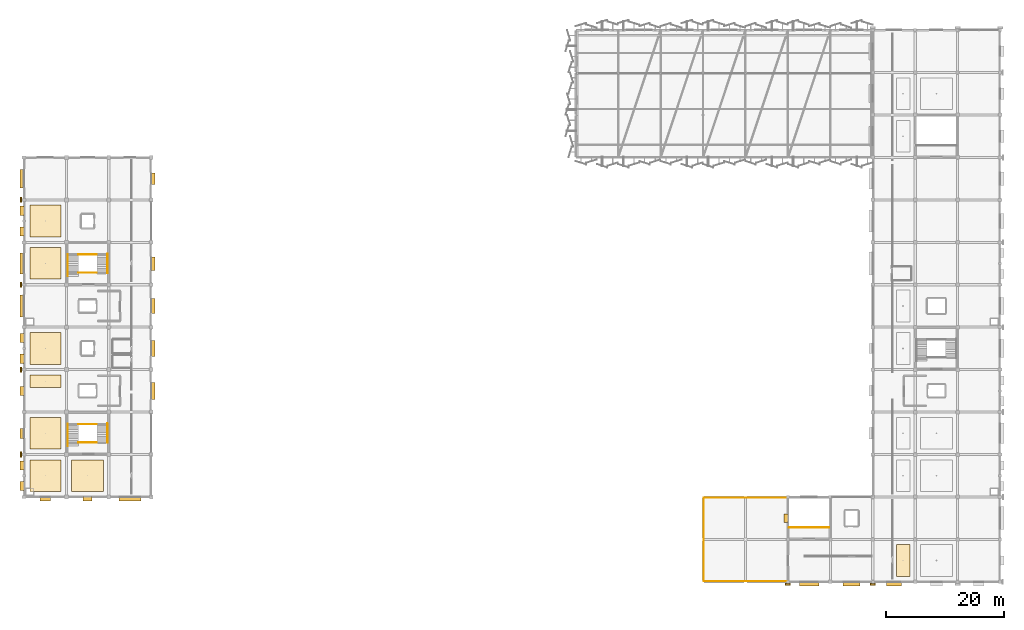
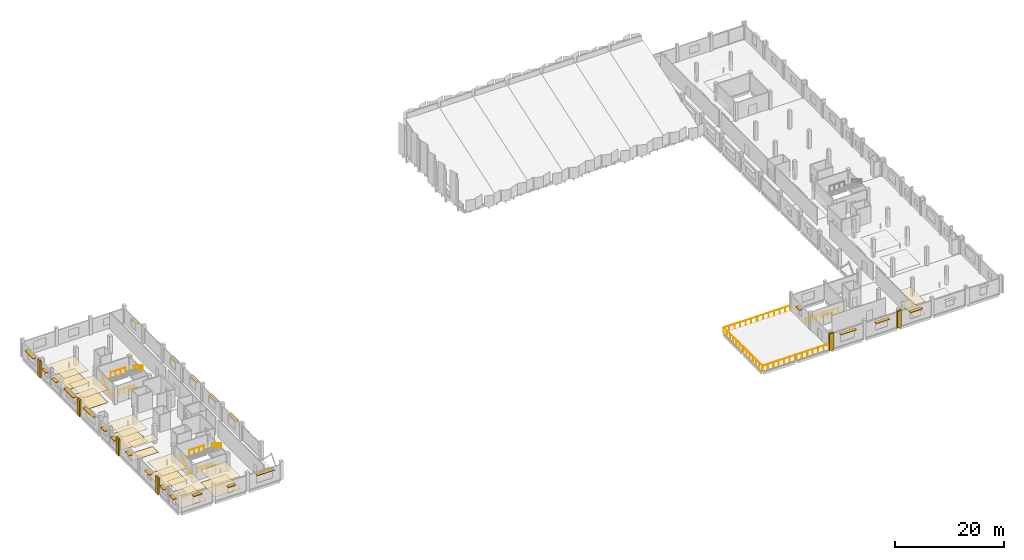
# One storey, part 57 of 59: 23 shading devices, 22 coverings, 15 railings.
"""IFC4 building model written with IfcOpenShell, lengths in metres."""

from ifc_helpers import new_model, si_unit, direction, frame, origin, origin_2d, place, context, subcontext, project, spatial, polyline, rectangle, circle, outline, extrude, material, layer, layer_set, type_object, element, save


model = new_model("IFC4")

# Units and contexts
model_context = context("Model", 3, precision=1e-05, world=origin(), true_north=direction((0.0, 1.0)))
body_context = subcontext(model_context, "Body", "Model", "MODEL_VIEW")
ifc_project = project(units=[si_unit("LENGTHUNIT", "METRE"), si_unit("AREAUNIT", "SQUARE_METRE"), si_unit("VOLUMEUNIT", "CUBIC_METRE"), si_unit("PLANEANGLEUNIT", "RADIAN"), si_unit("MASSUNIT", "GRAM", prefix="KILO")], contexts=[model_context])

# Site, building, storey
site_placement = place(None, origin())
site = spatial("IfcSite", under=ifc_project, at=site_placement, CompositionType="ELEMENT")
building_placement = place(site_placement, origin())
building = spatial("IfcBuilding", under=site, at=building_placement, Name="Kangsadwip Square Police Headquarters", CompositionType="ELEMENT")
storey_placement = place(building_placement, frame((0.0, 0.0, 21.60009765625)))
storey = spatial("IfcBuildingStorey", under=building, at=storey_placement, Name="L05", CompositionType="ELEMENT", Elevation=21.60009765625)

# Railings
ifc_material_1 = material(Name="Structural steel IS 2062 E250 (Grade 250, 250 MPa)", Category="steel")
railing_type_1 = type_object("IfcRailingType", Name="BalustradeGuard1100", PredefinedType="BALUSTRADE", material=ifc_material_1)
for number, where, name in (
    (1, (115.320068359375, 35.8798828125, 0.0), "Terrace Balustrade GR-L05-023"),
    (2, (115.320068359375, 21.719970703125, 0.0), "Terrace Balustrade GR-L05-024"),
    (3, (122.52001953125, 35.8798828125, 0.0), "Terrace Balustrade GR-L05-025"),
    (4, (122.52001953125, 21.719970703125, 0.0), "Terrace Balustrade GR-L05-026"),
):
    element("IfcRailing", number, at=place(storey_placement, frame(where)), inside=storey, type_object=railing_type_1, Name=name, PredefinedType="BALUSTRADE", context=body_context, shape_type="SweptSolid", body=[
        extrude(circle(Radius=0.02392578125, at=origin_2d()), frame((0.0, 0.0, 1.09619140625), z_axis=(1.0, 0.0, 0.0), x_axis=(0.0, 1.0, 0.0)), (0.0, 0.0, 1.0), 6.9599609375),
        extrude(circle(Radius=0.02099609375, at=origin_2d()), origin(), (0.0, 0.0, 1.0), 1.072021484375),
        extrude(circle(Radius=0.02099609375, at=origin_2d()), frame((1.159912109375, 0.0, 0.0)), (0.0, 0.0, 1.0), 1.072021484375),
        extrude(circle(Radius=0.02099609375, at=origin_2d()), frame((2.320068359375, 0.0, 0.0)), (0.0, 0.0, 1.0), 1.072021484375),
        extrude(circle(Radius=0.02099609375, at=origin_2d()), frame((3.47998046875, 0.0, 0.0)), (0.0, 0.0, 1.0), 1.072021484375),
        extrude(circle(Radius=0.02099609375, at=origin_2d()), frame((4.639892578125, 0.0, 0.0)), (0.0, 0.0, 1.0), 1.072021484375),
        extrude(circle(Radius=0.02099609375, at=origin_2d()), frame((5.800048828125, 0.0, 0.0)), (0.0, 0.0, 1.0), 1.072021484375),
        extrude(circle(Radius=0.02099609375, at=origin_2d()), frame((6.9599609375, 0.0, 0.0)), (0.0, 0.0, 1.0), 1.072021484375),
    ])
for number, where, name in (
    (5, (115.320068359375, 21.719970703125, 0.0), "Terrace Balustrade GR-L05-027"),
    (6, (115.320068359375, 28.919921875, 0.0), "Terrace Balustrade GR-L05-028"),
):
    element("IfcRailing", number, at=place(storey_placement, frame(where)), inside=storey, type_object=railing_type_1, Name=name, PredefinedType="BALUSTRADE", context=body_context, shape_type="SweptSolid", body=[
        extrude(circle(Radius=0.02392578125, at=origin_2d()), frame((0.0, 0.0, 1.09619140625), z_axis=(0.0, 1.0, 0.0), x_axis=(-1.0, 0.0, 0.0)), (0.0, 0.0, 1.0), 6.9599609375),
        extrude(circle(Radius=0.02099609375, at=origin_2d()), origin(), (0.0, 0.0, 1.0), 1.072021484375),
        extrude(circle(Radius=0.02099609375, at=origin_2d()), frame((0.0, 1.159912109375, 0.0)), (0.0, 0.0, 1.0), 1.072021484375),
        extrude(circle(Radius=0.02099609375, at=origin_2d()), frame((0.0, 2.320068359375, 0.0)), (0.0, 0.0, 1.0), 1.072021484375),
        extrude(circle(Radius=0.02099609375, at=origin_2d()), frame((0.0, 3.47998046875, 0.0)), (0.0, 0.0, 1.0), 1.072021484375),
        extrude(circle(Radius=0.02099609375, at=origin_2d()), frame((0.0, 4.639892578125, 0.0)), (0.0, 0.0, 1.0), 1.072021484375),
        extrude(circle(Radius=0.02099609375, at=origin_2d()), frame((0.0, 5.800048828125, 0.0)), (0.0, 0.0, 1.0), 1.072021484375),
        extrude(circle(Radius=0.02099609375, at=origin_2d()), frame((0.0, 6.9599609375, 0.0)), (0.0, 0.0, 1.0), 1.072021484375),
    ])
for number, where, name in (
    (7, (9.22998046875, 45.239990234375, 0.0), "Stair Guard ST-01 L05-24"),
    (8, (9.22998046875, 48.320068359375, 2.10595703125), "Stair Guard ST-01 L05-25"),
    (9, (9.22998046875, 74.0400390625, 0.0), "Stair Guard ST-02 L05-59"),
    (10, (9.22998046875, 77.1201171875, 2.10595703125), "Stair Guard ST-02 L05-60"),
):
    element("IfcRailing", number, at=place(storey_placement, frame(where)), inside=storey, type_object=railing_type_1, Name=name, PredefinedType="BALUSTRADE", context=body_context, shape_type="SweptSolid", body=[
        extrude(circle(Radius=0.02392578125, at=origin_2d()), frame((0.0, 0.0, 1.09619140625), z_axis=(1.0, 0.0, 0.0), x_axis=(0.0, 1.0, 0.0)), (0.0, 0.0, 1.0), 3.14013671875),
        extrude(circle(Radius=0.02099609375, at=origin_2d()), origin(), (0.0, 0.0, 1.0), 1.072021484375),
        extrude(circle(Radius=0.02099609375, at=origin_2d()), frame((1.046630859375, 0.0, 0.0)), (0.0, 0.0, 1.0), 1.072021484375),
        extrude(circle(Radius=0.02099609375, at=origin_2d()), frame((2.093505859375, 0.0, 0.0)), (0.0, 0.0, 1.0), 1.072021484375),
        extrude(circle(Radius=0.02099609375, at=origin_2d()), frame((3.14013671875, 0.0, 0.0)), (0.0, 0.0, 1.0), 1.072021484375),
    ])
railing_1_placement = place(storey_placement, frame((129.800048828125, 30.800048828125, 0.0)))
element("IfcRailing", 11, at=railing_1_placement, inside=storey, type_object=railing_type_1, Name="Top Stairwell Guard ST-06 L05", PredefinedType="BALUSTRADE", context=body_context, shape_type="SweptSolid", body=[
    extrude(circle(Radius=0.02392578125, at=origin_2d()), frame((0.0, 0.0, 1.09619140625), z_axis=(1.0, 0.0, 0.0), x_axis=(0.0, 1.0, 0.0)), (0.0, 0.0, 1.0), 6.800048828125),
    extrude(circle(Radius=0.02099609375, at=origin_2d()), origin(), (0.0, 0.0, 1.0), 1.072021484375),
    extrude(circle(Radius=0.02099609375, at=origin_2d()), frame((1.13330078125, 0.0, 0.0)), (0.0, 0.0, 1.0), 1.072021484375),
    extrude(circle(Radius=0.02099609375, at=origin_2d()), frame((2.2666015625, 0.0, 0.0)), (0.0, 0.0, 1.0), 1.072021484375),
    extrude(circle(Radius=0.02099609375, at=origin_2d()), frame((3.39990234375, 0.0, 0.0)), (0.0, 0.0, 1.0), 1.072021484375),
    extrude(circle(Radius=0.02099609375, at=origin_2d()), frame((4.533447265625, 0.0, 0.0)), (0.0, 0.0, 1.0), 1.072021484375),
    extrude(circle(Radius=0.02099609375, at=origin_2d()), frame((5.666748046875, 0.0, 0.0)), (0.0, 0.0, 1.0), 1.072021484375),
    extrude(circle(Radius=0.02099609375, at=origin_2d()), frame((6.800048828125, 0.0, 0.0)), (0.0, 0.0, 1.0), 1.072021484375),
])

# Coverings
ifc_material_2 = material(Name="Seamless anti-static epoxy and polished Kota stone interior flooring", Category="masonry")
ifc_layer_1 = layer(ifc_material_2, 0.02001953125)
ifc_layer_set_1 = layer_set([ifc_layer_1], Name="Seamless anti-static epoxy and polished Kota stone interior flooring")
covering_type_1 = type_object("IfcCoveringType", Name="InteriorStoneEpoxyFloor", PredefinedType="FLOORING", material=ifc_layer_set_1)
covering_1_placement = place(storey_placement, origin())
element("IfcCovering", 12, at=covering_1_placement, inside=storey, type_object=covering_type_1, Name="Interior Floor Finish L05-161", PredefinedType="FLOORING", context=body_context, shape_type="SweptSolid", body=[
    extrude(outline(polyline([(1.0, 36.89990234375), (6.300048828125, 36.89990234375), (6.300048828125, 42.300048828125), (1.0, 42.300048828125), (1.0, 36.89990234375)])), origin(), (0.0, 0.0, 1.0), 0.02001953125),
])
covering_2_placement = place(storey_placement, origin())
element("IfcCovering", 13, at=covering_2_placement, inside=storey, type_object=covering_type_1, Name="Interior Floor Finish L05-162", PredefinedType="FLOORING", context=body_context, shape_type="SweptSolid", body=[
    extrude(outline(polyline([(8.10009765625, 36.89990234375), (13.5, 36.89990234375), (13.5, 42.300048828125), (8.10009765625, 42.300048828125), (8.10009765625, 36.89990234375)])), origin(), (0.0, 0.0, 1.0), 0.02001953125),
])
covering_3_placement = place(storey_placement, origin())
element("IfcCovering", 14, at=covering_3_placement, inside=storey, type_object=covering_type_1, Name="Interior Floor Finish L05-163", PredefinedType="FLOORING", context=body_context, shape_type="SweptSolid", body=[
    extrude(outline(polyline([(1.0, 44.10009765625), (6.300048828125, 44.10009765625), (6.300048828125, 49.5), (1.0, 49.5), (1.0, 44.10009765625)])), origin(), (0.0, 0.0, 1.0), 0.02001953125),
])
covering_4_placement = place(storey_placement, origin())
element("IfcCovering", 15, at=covering_4_placement, inside=storey, type_object=covering_type_1, Name="Interior Floor Finish L05-164", PredefinedType="FLOORING", context=body_context, shape_type="SweptSolid", body=[
    extrude(outline(polyline([(1.0, 54.550048828125), (6.300048828125, 54.550048828125), (6.300048828125, 56.699951171875), (1.0, 56.699951171875), (1.0, 54.550048828125)])), origin(), (0.0, 0.0, 1.0), 0.02001953125),
])
covering_5_placement = place(storey_placement, origin())
element("IfcCovering", 16, at=covering_5_placement, inside=storey, type_object=covering_type_1, Name="Interior Floor Finish L05-165", PredefinedType="FLOORING", context=body_context, shape_type="SweptSolid", body=[
    extrude(outline(polyline([(1.0, 58.5), (6.300048828125, 58.5), (6.300048828125, 63.89990234375), (1.0, 63.89990234375), (1.0, 58.5)])), origin(), (0.0, 0.0, 1.0), 0.02001953125),
])
covering_6_placement = place(storey_placement, origin())
element("IfcCovering", 17, at=covering_6_placement, inside=storey, type_object=covering_type_1, Name="Interior Floor Finish L05-166", PredefinedType="FLOORING", context=body_context, shape_type="SweptSolid", body=[
    extrude(outline(polyline([(1.0, 72.949951171875), (6.300048828125, 72.949951171875), (6.300048828125, 78.300048828125), (1.0, 78.300048828125), (1.0, 72.949951171875)])), origin(), (0.0, 0.0, 1.0), 0.02001953125),
])
covering_7_placement = place(storey_placement, origin())
element("IfcCovering", 18, at=covering_7_placement, inside=storey, type_object=covering_type_1, Name="Interior Floor Finish L05-167", PredefinedType="FLOORING", context=body_context, shape_type="SweptSolid", body=[
    extrude(outline(polyline([(1.0, 80.10009765625), (6.300048828125, 80.10009765625), (6.300048828125, 85.5), (1.0, 85.5), (1.0, 80.10009765625)])), origin(), (0.0, 0.0, 1.0), 0.02001953125),
])
covering_8_placement = place(storey_placement, origin())
element("IfcCovering", 19, at=covering_8_placement, inside=storey, type_object=covering_type_1, Name="Interior Floor Finish L05-174", PredefinedType="FLOORING", context=body_context, shape_type="SweptSolid", body=[
    extrude(outline(polyline([(148.0, 22.5), (150.300048828125, 22.5), (150.300048828125, 27.89990234375), (148.0, 27.89990234375), (148.0, 22.5)])), origin(), (0.0, 0.0, 1.0), 0.02001953125),
])

# Railings
ifc_material_3 = material(Name="Structural steel IS 2062 E250 (Grade 250, 250 MPa)", Category="steel")
railing_type_2 = type_object("IfcRailingType", Name="StairPitchHandrail900", PredefinedType="HANDRAIL", material=ifc_material_3)
railing_2_placement = place(storey_placement, frame((7.43994140625, 44.639892578125, 0.0)))
element("IfcRailing", 20, at=railing_2_placement, inside=storey, type_object=railing_type_2, Name="Stair Handrail ST-01 L05-26", PredefinedType="HANDRAIL", context=body_context, shape_type="SweptSolid", body=[
    extrude(circle(Radius=0.02392578125, at=origin_2d()), frame((0.0, 0.0, 0.8759765625), z_axis=(0.0, 0.87023930122, 0.492629230367), x_axis=(-1.0, 0.0, 0.0)), (0.0, 0.0, 1.0), 4.27490234375),
    extrude(circle(Radius=0.02099609375, at=origin_2d()), origin(), (0.0, 0.0, 1.0), 0.851806640625),
    extrude(circle(Radius=0.02099609375, at=origin_2d()), frame((0.0, 0.93017578125, 0.5263671875)), (0.0, 0.0, 1.0), 0.851806640625),
    extrude(circle(Radius=0.02099609375, at=origin_2d()), frame((0.0, 1.860107421875, 1.052978515625)), (0.0, 0.0, 1.0), 0.851806640625),
    extrude(circle(Radius=0.02099609375, at=origin_2d()), frame((0.0, 2.7900390625, 1.57958984375)), (0.0, 0.0, 1.0), 0.851806640625),
    extrude(circle(Radius=0.02099609375, at=origin_2d()), frame((0.0, 3.72021484375, 2.10595703125)), (0.0, 0.0, 1.0), 0.851806640625),
])
railing_3_placement = place(storey_placement, frame((14.159912109375, 48.4599609375, 2.10595703125)))
element("IfcRailing", 21, at=railing_3_placement, inside=storey, type_object=railing_type_2, Name="Stair Handrail ST-01 L05-27", PredefinedType="HANDRAIL", context=body_context, shape_type="SweptSolid", body=[
    extrude(circle(Radius=0.02392578125, at=origin_2d()), frame((0.0, 0.0, 0.8759765625), z_axis=(0.0, -0.860276971572, 0.509826962981), x_axis=(1.0, 0.0, 0.0)), (0.0, 0.0, 1.0), 3.812744140625),
    extrude(circle(Radius=0.02099609375, at=origin_2d()), origin(), (0.0, 0.0, 1.0), 0.851806640625),
    extrude(circle(Radius=0.02099609375, at=origin_2d()), frame((0.0, -0.820068359375, 0.48583984375)), (0.0, 0.0, 1.0), 0.851806640625),
    extrude(circle(Radius=0.02099609375, at=origin_2d()), frame((0.0, -1.64013671875, 0.971923828125)), (0.0, 0.0, 1.0), 0.851806640625),
    extrude(circle(Radius=0.02099609375, at=origin_2d()), frame((0.0, -2.4599609375, 1.4580078125)), (0.0, 0.0, 1.0), 0.851806640625),
    extrude(circle(Radius=0.02099609375, at=origin_2d()), frame((0.0, -3.280029296875, 1.94384765625)), (0.0, 0.0, 1.0), 0.851806640625),
])
railing_4_placement = place(storey_placement, frame((7.43994140625, 73.43994140625, 0.0)))
element("IfcRailing", 22, at=railing_4_placement, inside=storey, type_object=railing_type_2, Name="Stair Handrail ST-02 L05-61", PredefinedType="HANDRAIL", context=body_context, shape_type="SweptSolid", body=[
    extrude(circle(Radius=0.02392578125, at=origin_2d()), frame((0.0, 0.0, 0.8759765625), z_axis=(0.0, 0.870225440575, 0.492653714668), x_axis=(-1.0, 0.0, 0.0)), (0.0, 0.0, 1.0), 4.274658203125),
    extrude(circle(Radius=0.02099609375, at=origin_2d()), origin(), (0.0, 0.0, 1.0), 0.851806640625),
    extrude(circle(Radius=0.02099609375, at=origin_2d()), frame((0.0, 0.929931640625, 0.5263671875)), (0.0, 0.0, 1.0), 0.851806640625),
    extrude(circle(Radius=0.02099609375, at=origin_2d()), frame((0.0, 1.85986328125, 1.052978515625)), (0.0, 0.0, 1.0), 0.851806640625),
    extrude(circle(Radius=0.02099609375, at=origin_2d()), frame((0.0, 2.7900390625, 1.57958984375)), (0.0, 0.0, 1.0), 0.851806640625),
    extrude(circle(Radius=0.02099609375, at=origin_2d()), frame((0.0, 3.719970703125, 2.10595703125)), (0.0, 0.0, 1.0), 0.851806640625),
])
railing_5_placement = place(storey_placement, frame((14.159912109375, 77.260009765625, 2.10595703125)))
element("IfcRailing", 23, at=railing_5_placement, inside=storey, type_object=railing_type_2, Name="Stair Handrail ST-02 L05-62", PredefinedType="HANDRAIL", context=body_context, shape_type="SweptSolid", body=[
    extrude(circle(Radius=0.02392578125, at=origin_2d()), frame((0.0, 0.0, 0.8759765625), z_axis=(0.0, -0.860276971572, 0.509826962981), x_axis=(1.0, 0.0, 0.0)), (0.0, 0.0, 1.0), 3.812744140625),
    extrude(circle(Radius=0.02099609375, at=origin_2d()), origin(), (0.0, 0.0, 1.0), 0.851806640625),
    extrude(circle(Radius=0.02099609375, at=origin_2d()), frame((0.0, -0.820068359375, 0.48583984375)), (0.0, 0.0, 1.0), 0.851806640625),
    extrude(circle(Radius=0.02099609375, at=origin_2d()), frame((0.0, -1.64013671875, 0.971923828125)), (0.0, 0.0, 1.0), 0.851806640625),
    extrude(circle(Radius=0.02099609375, at=origin_2d()), frame((0.0, -2.4599609375, 1.4580078125)), (0.0, 0.0, 1.0), 0.851806640625),
    extrude(circle(Radius=0.02099609375, at=origin_2d()), frame((0.0, -3.280029296875, 1.94384765625)), (0.0, 0.0, 1.0), 0.851806640625),
])

# Coverings
ifc_material_4 = material(Name="Perforated mineral-fibre and acoustic baffle suspended ceiling", Category="wood")
ifc_layer_2 = layer(ifc_material_4, 0.02490234375)
ifc_layer_set_2 = layer_set([ifc_layer_2], Name="Perforated mineral-fibre and acoustic baffle suspended ceiling")
covering_type_2 = type_object("IfcCoveringType", Name="SuspendedAcousticCeiling", PredefinedType="CEILING", material=ifc_layer_set_2)
covering_9_placement = place(storey_placement, frame((0.0, 0.0, 2.7998046875)))
element("IfcCovering", 24, at=covering_9_placement, inside=storey, type_object=covering_type_2, Name="Suspended Acoustic Ceiling L05-161", PredefinedType="CEILING", context=body_context, shape_type="SweptSolid", body=[
    extrude(outline(polyline([(1.0, 36.89990234375), (6.300048828125, 36.89990234375), (6.300048828125, 42.300048828125), (1.0, 42.300048828125), (1.0, 36.89990234375)])), origin(), (0.0, 0.0, 1.0), 0.025146484375),
])
covering_10_placement = place(storey_placement, frame((0.0, 0.0, 2.7998046875)))
element("IfcCovering", 25, at=covering_10_placement, inside=storey, type_object=covering_type_2, Name="Suspended Acoustic Ceiling L05-162", PredefinedType="CEILING", context=body_context, shape_type="SweptSolid", body=[
    extrude(outline(polyline([(8.10009765625, 36.89990234375), (13.5, 36.89990234375), (13.5, 42.300048828125), (8.10009765625, 42.300048828125), (8.10009765625, 36.89990234375)])), origin(), (0.0, 0.0, 1.0), 0.025146484375),
])
covering_11_placement = place(storey_placement, frame((0.0, 0.0, 2.7998046875)))
element("IfcCovering", 26, at=covering_11_placement, inside=storey, type_object=covering_type_2, Name="Suspended Acoustic Ceiling L05-163", PredefinedType="CEILING", context=body_context, shape_type="SweptSolid", body=[
    extrude(outline(polyline([(1.0, 44.10009765625), (6.300048828125, 44.10009765625), (6.300048828125, 49.5), (1.0, 49.5), (1.0, 44.10009765625)])), origin(), (0.0, 0.0, 1.0), 0.025146484375),
])
covering_12_placement = place(storey_placement, frame((0.0, 0.0, 2.7998046875)))
element("IfcCovering", 27, at=covering_12_placement, inside=storey, type_object=covering_type_2, Name="Suspended Acoustic Ceiling L05-164", PredefinedType="CEILING", context=body_context, shape_type="SweptSolid", body=[
    extrude(outline(polyline([(1.0, 54.550048828125), (6.300048828125, 54.550048828125), (6.300048828125, 56.699951171875), (1.0, 56.699951171875), (1.0, 54.550048828125)])), origin(), (0.0, 0.0, 1.0), 0.025146484375),
])
covering_13_placement = place(storey_placement, frame((0.0, 0.0, 2.7998046875)))
element("IfcCovering", 28, at=covering_13_placement, inside=storey, type_object=covering_type_2, Name="Suspended Acoustic Ceiling L05-165", PredefinedType="CEILING", context=body_context, shape_type="SweptSolid", body=[
    extrude(outline(polyline([(1.0, 58.5), (6.300048828125, 58.5), (6.300048828125, 63.89990234375), (1.0, 63.89990234375), (1.0, 58.5)])), origin(), (0.0, 0.0, 1.0), 0.025146484375),
])
covering_14_placement = place(storey_placement, frame((0.0, 0.0, 2.7998046875)))
element("IfcCovering", 29, at=covering_14_placement, inside=storey, type_object=covering_type_2, Name="Suspended Acoustic Ceiling L05-166", PredefinedType="CEILING", context=body_context, shape_type="SweptSolid", body=[
    extrude(outline(polyline([(1.0, 72.949951171875), (6.300048828125, 72.949951171875), (6.300048828125, 78.300048828125), (1.0, 78.300048828125), (1.0, 72.949951171875)])), origin(), (0.0, 0.0, 1.0), 0.025146484375),
])
covering_15_placement = place(storey_placement, frame((0.0, 0.0, 2.7998046875)))
element("IfcCovering", 30, at=covering_15_placement, inside=storey, type_object=covering_type_2, Name="Suspended Acoustic Ceiling L05-167", PredefinedType="CEILING", context=body_context, shape_type="SweptSolid", body=[
    extrude(outline(polyline([(1.0, 80.10009765625), (6.300048828125, 80.10009765625), (6.300048828125, 85.5), (1.0, 85.5), (1.0, 80.10009765625)])), origin(), (0.0, 0.0, 1.0), 0.025146484375),
])
covering_16_placement = place(storey_placement, frame((0.0, 0.0, 2.7998046875)))
element("IfcCovering", 31, at=covering_16_placement, inside=storey, type_object=covering_type_2, Name="Suspended Acoustic Ceiling L05-174", PredefinedType="CEILING", context=body_context, shape_type="SweptSolid", body=[
    extrude(outline(polyline([(148.0, 22.5), (150.300048828125, 22.5), (150.300048828125, 27.89990234375), (148.0, 27.89990234375), (148.0, 22.5)])), origin(), (0.0, 0.0, 1.0), 0.025146484375),
])
ifc_material_5 = material(Name="Glazed architectural terracotta masonry rainscreen", Category="masonry")
ifc_layer_3 = layer(ifc_material_5, 0.034912109375)
ifc_layer_set_3 = layer_set([ifc_layer_3], Name="Glazed architectural terracotta masonry rainscreen")
covering_type_3 = type_object("IfcCoveringType", Name="TerracottaPierCladding", PredefinedType="CLADDING", material=ifc_layer_set_3)
covering_17_placement = place(storey_placement, origin())
element("IfcCovering", 32, at=covering_17_placement, inside=storey, type_object=covering_type_3, Name="Terracotta Pier Cladding L05-124", PredefinedType="CLADDING", context=body_context, shape_type="SweptSolid", body=[
    extrude(outline(polyline([(-0.64990234375, 42.760009765625), (-0.330078125, 42.760009765625), (-0.330078125, 43.639892578125), (-0.64990234375, 43.639892578125), (-0.64990234375, 42.760009765625)])), origin(), (0.0, 0.0, 1.0), 3.7998046875),
])
covering_18_placement = place(storey_placement, origin())
element("IfcCovering", 33, at=covering_18_placement, inside=storey, type_object=covering_type_3, Name="Terracotta Pier Cladding L05-125", PredefinedType="CLADDING", context=body_context, shape_type="SweptSolid", body=[
    extrude(outline(polyline([(-0.64990234375, 57.159912109375), (-0.330078125, 57.159912109375), (-0.330078125, 58.0400390625), (-0.64990234375, 58.0400390625), (-0.64990234375, 57.159912109375)])), origin(), (0.0, 0.0, 1.0), 3.7998046875),
])
covering_19_placement = place(storey_placement, origin())
element("IfcCovering", 34, at=covering_19_placement, inside=storey, type_object=covering_type_3, Name="Terracotta Pier Cladding L05-126", PredefinedType="CLADDING", context=body_context, shape_type="SweptSolid", body=[
    extrude(outline(polyline([(-0.64990234375, 71.56005859375), (-0.330078125, 71.56005859375), (-0.330078125, 72.43994140625), (-0.64990234375, 72.43994140625), (-0.64990234375, 71.56005859375)])), origin(), (0.0, 0.0, 1.0), 3.7998046875),
])
covering_20_placement = place(storey_placement, origin())
element("IfcCovering", 35, at=covering_20_placement, inside=storey, type_object=covering_type_3, Name="Terracotta Pier Cladding L05-127", PredefinedType="CLADDING", context=body_context, shape_type="SweptSolid", body=[
    extrude(outline(polyline([(-0.64990234375, 85.9599609375), (-0.330078125, 85.9599609375), (-0.330078125, 86.840087890625), (-0.64990234375, 86.840087890625), (-0.64990234375, 85.9599609375)])), origin(), (0.0, 0.0, 1.0), 3.7998046875),
])
covering_21_placement = place(storey_placement, origin())
element("IfcCovering", 36, at=covering_21_placement, inside=storey, type_object=covering_type_3, Name="Terracotta Pier Cladding L05-138", PredefinedType="CLADDING", context=body_context, shape_type="SweptSolid", body=[
    extrude(outline(polyline([(129.159912109375, 21.050048828125), (130.0400390625, 21.050048828125), (130.0400390625, 21.3701171875), (129.159912109375, 21.3701171875), (129.159912109375, 21.050048828125)])), origin(), (0.0, 0.0, 1.0), 3.7998046875),
])
covering_22_placement = place(storey_placement, origin())
element("IfcCovering", 37, at=covering_22_placement, inside=storey, type_object=covering_type_3, Name="Terracotta Pier Cladding L05-139", PredefinedType="CLADDING", context=body_context, shape_type="SweptSolid", body=[
    extrude(outline(polyline([(143.56005859375, 21.050048828125), (144.43994140625, 21.050048828125), (144.43994140625, 21.3701171875), (143.56005859375, 21.3701171875), (143.56005859375, 21.050048828125)])), origin(), (0.0, 0.0, 1.0), 3.7998046875),
])

# Shading devices
ifc_material_6 = material(Name="Architectural terracotta and anodised aluminium AW-6061-T6", Category="aluminium")
shading_device_type = type_object("IfcShadingDeviceType", Name="TerracottaChhajjaAwning", PredefinedType="AWNING", material=ifc_material_6)
shading_device_1_placement = place(storey_placement, frame((133.1875, 21.300048828125, 2.7646484375), z_axis=(0.0, 0.0, 1.0), x_axis=(1.0, 0.0, 0.0)))
element("IfcShadingDevice", 38, at=shading_device_1_placement, inside=storey, type_object=shading_device_type, Name="Terracotta Chhajja Hood CHJ-L05-0256", PredefinedType="AWNING", context=body_context, shape_type="SweptSolid", body=[
    extrude(rectangle(XDim=3.300048828125, YDim=0.719970703125, at=origin_2d()), origin(), (0.0, 0.0, 1.0), 0.090087890625),
])
shading_device_2_placement = place(storey_placement, frame((140.41259765625, 21.300048828125, 2.6650390625), z_axis=(0.0, 0.0, 1.0), x_axis=(1.0, 0.0, 0.0)))
element("IfcShadingDevice", 39, at=shading_device_2_placement, inside=storey, type_object=shading_device_type, Name="Terracotta Chhajja Hood CHJ-L05-0257", PredefinedType="AWNING", context=body_context, shape_type="SweptSolid", body=[
    extrude(rectangle(XDim=2.89990234375, YDim=0.719970703125, at=origin_2d()), origin(), (0.0, 0.0, 1.0), 0.090087890625),
])
shading_device_3_placement = place(storey_placement, frame((147.58740234375, 21.300048828125, 2.56494140625), z_axis=(0.0, 0.0, 1.0), x_axis=(1.0, 0.0, 0.0)))
element("IfcShadingDevice", 40, at=shading_device_3_placement, inside=storey, type_object=shading_device_type, Name="Terracotta Chhajja Hood CHJ-L05-0258", PredefinedType="AWNING", context=body_context, shape_type="SweptSolid", body=[
    extrude(rectangle(XDim=2.5, YDim=0.719970703125, at=origin_2d()), origin(), (0.0, 0.0, 1.0), 0.090087890625),
])
shading_device_4_placement = place(storey_placement, frame((3.612548828125, 35.699951171875, 2.9150390625), z_axis=(0.0, 0.0, 1.0), x_axis=(1.0, 0.0, 0.0)))
element("IfcShadingDevice", 41, at=shading_device_4_placement, inside=storey, type_object=shading_device_type, Name="Terracotta Chhajja Hood CHJ-L05-0261", PredefinedType="AWNING", context=body_context, shape_type="SweptSolid", body=[
    extrude(rectangle(XDim=1.800048828125, YDim=0.719970703125, at=origin_2d()), origin(), (0.0, 0.0, 1.0), 0.090087890625),
])
shading_device_5_placement = place(storey_placement, frame((10.800048828125, 35.699951171875, 2.36474609375), z_axis=(0.0, 0.0, 1.0), x_axis=(1.0, 0.0, 0.0)))
element("IfcShadingDevice", 42, at=shading_device_5_placement, inside=storey, type_object=shading_device_type, Name="Terracotta Chhajja Hood CHJ-L05-0262", PredefinedType="AWNING", context=body_context, shape_type="SweptSolid", body=[
    extrude(rectangle(XDim=1.550048828125, YDim=0.719970703125, at=origin_2d()), origin(), (0.0, 0.0, 1.0), 0.090087890625),
])
shading_device_6_placement = place(storey_placement, frame((18.0, 35.699951171875, 2.86474609375), z_axis=(0.0, 0.0, 1.0), x_axis=(1.0, 0.0, 0.0)))
element("IfcShadingDevice", 43, at=shading_device_6_placement, inside=storey, type_object=shading_device_type, Name="Terracotta Chhajja Hood CHJ-L05-0263", PredefinedType="AWNING", context=body_context, shape_type="SweptSolid", body=[
    extrude(rectangle(XDim=3.699951171875, YDim=0.719970703125, at=origin_2d()), origin(), (0.0, 0.0, 1.0), 0.090087890625),
])
for number, where, z_axis, x_axis, name in (
    (44, (-0.300048828125, 37.83740234375, 2.36474609375), (0.0, 0.0, 1.0), (0.0, 1.0, 0.0), "Terracotta Chhajja Hood CHJ-L05-0264"),
    (45, (-0.300048828125, 41.362548828125, 2.36474609375), (0.0, 0.0, 1.0), (0.0, 1.0, 0.0), "Terracotta Chhajja Hood CHJ-L05-0265"),
):
    element("IfcShadingDevice", number, at=place(storey_placement, frame(where, z_axis=z_axis, x_axis=x_axis)), inside=storey, type_object=shading_device_type, Name=name, PredefinedType="AWNING", context=body_context, shape_type="SweptSolid", body=[
        extrude(rectangle(XDim=1.550048828125, YDim=0.719970703125, at=origin_2d()), origin(), (0.0, 0.0, 1.0), 0.090087890625),
    ])
shading_device_7_placement = place(storey_placement, frame((-0.300048828125, 46.800048828125, 2.46484375), z_axis=(0.0, 0.0, 1.0), x_axis=(0.0, 1.0, 0.0)))
element("IfcShadingDevice", 46, at=shading_device_7_placement, inside=storey, type_object=shading_device_type, Name="Terracotta Chhajja Hood CHJ-L05-0266", PredefinedType="AWNING", context=body_context, shape_type="SweptSolid", body=[
    extrude(rectangle(XDim=1.699951171875, YDim=0.719970703125, at=origin_2d()), origin(), (0.0, 0.0, 1.0), 0.090087890625),
])
for number, where, z_axis, x_axis, name in (
    (47, (-0.300048828125, 54.0, 2.36474609375), (0.0, 0.0, 1.0), (0.0, 1.0, 0.0), "Terracotta Chhajja Hood CHJ-L05-0267"),
    (48, (-0.300048828125, 59.4375, 2.36474609375), (0.0, 0.0, 1.0), (0.0, 1.0, 0.0), "Terracotta Chhajja Hood CHJ-L05-0268"),
    (49, (-0.300048828125, 62.96240234375, 2.36474609375), (0.0, 0.0, 1.0), (0.0, 1.0, 0.0), "Terracotta Chhajja Hood CHJ-L05-0269"),
):
    element("IfcShadingDevice", number, at=place(storey_placement, frame(where, z_axis=z_axis, x_axis=x_axis)), inside=storey, type_object=shading_device_type, Name=name, PredefinedType="AWNING", context=body_context, shape_type="SweptSolid", body=[
        extrude(rectangle(XDim=1.550048828125, YDim=0.719970703125, at=origin_2d()), origin(), (0.0, 0.0, 1.0), 0.090087890625),
    ])
shading_device_8_placement = place(storey_placement, frame((-0.300048828125, 68.39990234375, 2.86474609375), z_axis=(0.0, 0.0, 1.0), x_axis=(0.0, 1.0, 0.0)))
element("IfcShadingDevice", 50, at=shading_device_8_placement, inside=storey, type_object=shading_device_type, Name="Terracotta Chhajja Hood CHJ-L05-0270", PredefinedType="AWNING", context=body_context, shape_type="SweptSolid", body=[
    extrude(rectangle(XDim=3.699951171875, YDim=0.719970703125, at=origin_2d()), origin(), (0.0, 0.0, 1.0), 0.090087890625),
])
shading_device_9_placement = place(storey_placement, frame((-0.300048828125, 75.60009765625, 2.81494140625), z_axis=(0.0, 0.0, 1.0), x_axis=(0.0, 1.0, 0.0)))
element("IfcShadingDevice", 51, at=shading_device_9_placement, inside=storey, type_object=shading_device_type, Name="Terracotta Chhajja Hood CHJ-L05-0271", PredefinedType="AWNING", context=body_context, shape_type="SweptSolid", body=[
    extrude(rectangle(XDim=3.5, YDim=0.719970703125, at=origin_2d()), origin(), (0.0, 0.0, 1.0), 0.090087890625),
])
for number, where, z_axis, x_axis, name in (
    (52, (-0.300048828125, 81.03759765625, 2.36474609375), (0.0, 0.0, 1.0), (0.0, 1.0, 0.0), "Terracotta Chhajja Hood CHJ-L05-0272"),
    (53, (-0.300048828125, 84.5625, 2.36474609375), (0.0, 0.0, 1.0), (0.0, 1.0, 0.0), "Terracotta Chhajja Hood CHJ-L05-0273"),
):
    element("IfcShadingDevice", number, at=place(storey_placement, frame(where, z_axis=z_axis, x_axis=x_axis)), inside=storey, type_object=shading_device_type, Name=name, PredefinedType="AWNING", context=body_context, shape_type="SweptSolid", body=[
        extrude(rectangle(XDim=1.550048828125, YDim=0.719970703125, at=origin_2d()), origin(), (0.0, 0.0, 1.0), 0.090087890625),
    ])
shading_device_10_placement = place(storey_placement, frame((-0.300048828125, 90.0, 2.71484375), z_axis=(0.0, 0.0, 1.0), x_axis=(0.0, 1.0, 0.0)))
element("IfcShadingDevice", 54, at=shading_device_10_placement, inside=storey, type_object=shading_device_type, Name="Terracotta Chhajja Hood CHJ-L05-0274", PredefinedType="AWNING", context=body_context, shape_type="SweptSolid", body=[
    extrude(rectangle(XDim=3.10009765625, YDim=0.719970703125, at=origin_2d()), origin(), (0.0, 0.0, 1.0), 0.090087890625),
])
shading_device_11_placement = place(storey_placement, frame((21.89990234375, 54.0, 2.6650390625), z_axis=(0.0, 0.0, 1.0), x_axis=(0.0, 1.0, 0.0)))
element("IfcShadingDevice", 55, at=shading_device_11_placement, inside=storey, type_object=shading_device_type, Name="Terracotta Chhajja Hood CHJ-L05-0275", PredefinedType="AWNING", context=body_context, shape_type="SweptSolid", body=[
    extrude(rectangle(XDim=2.89990234375, YDim=0.719970703125, at=origin_2d()), origin(), (0.0, 0.0, 1.0), 0.090087890625),
])
shading_device_12_placement = place(storey_placement, frame((21.89990234375, 61.199951171875, 2.61474609375), z_axis=(0.0, 0.0, 1.0), x_axis=(0.0, 1.0, 0.0)))
element("IfcShadingDevice", 56, at=shading_device_12_placement, inside=storey, type_object=shading_device_type, Name="Terracotta Chhajja Hood CHJ-L05-0276", PredefinedType="AWNING", context=body_context, shape_type="SweptSolid", body=[
    extrude(rectangle(XDim=2.699951171875, YDim=0.719970703125, at=origin_2d()), origin(), (0.0, 0.0, 1.0), 0.090087890625),
])
shading_device_13_placement = place(storey_placement, frame((21.89990234375, 68.39990234375, 2.56494140625), z_axis=(0.0, 0.0, 1.0), x_axis=(0.0, 1.0, 0.0)))
element("IfcShadingDevice", 57, at=shading_device_13_placement, inside=storey, type_object=shading_device_type, Name="Terracotta Chhajja Hood CHJ-L05-0277", PredefinedType="AWNING", context=body_context, shape_type="SweptSolid", body=[
    extrude(rectangle(XDim=2.5, YDim=0.719970703125, at=origin_2d()), origin(), (0.0, 0.0, 1.0), 0.090087890625),
])
shading_device_14_placement = place(storey_placement, frame((21.89990234375, 75.60009765625, 2.5146484375), z_axis=(0.0, 0.0, 1.0), x_axis=(0.0, 1.0, 0.0)))
element("IfcShadingDevice", 58, at=shading_device_14_placement, inside=storey, type_object=shading_device_type, Name="Terracotta Chhajja Hood CHJ-L05-0278", PredefinedType="AWNING", context=body_context, shape_type="SweptSolid", body=[
    extrude(rectangle(XDim=2.300048828125, YDim=0.719970703125, at=origin_2d()), origin(), (0.0, 0.0, 1.0), 0.090087890625),
])
shading_device_15_placement = place(storey_placement, frame((21.89990234375, 90.0, 2.4150390625), z_axis=(0.0, 0.0, 1.0), x_axis=(0.0, 1.0, 0.0)))
element("IfcShadingDevice", 59, at=shading_device_15_placement, inside=storey, type_object=shading_device_type, Name="Terracotta Chhajja Hood CHJ-L05-0279", PredefinedType="AWNING", context=body_context, shape_type="SweptSolid", body=[
    extrude(rectangle(XDim=1.949951171875, YDim=0.719970703125, at=origin_2d()), origin(), (0.0, 0.0, 1.0), 0.090087890625),
])
shading_device_16_placement = place(storey_placement, frame((129.300048828125, 32.41259765625, 2.61474609375), z_axis=(0.0, 0.0, 1.0), x_axis=(0.0, 1.0, 0.0)))
element("IfcShadingDevice", 60, at=shading_device_16_placement, inside=storey, type_object=shading_device_type, Name="Terracotta Chhajja Hood CHJ-L05-0280", PredefinedType="AWNING", context=body_context, shape_type="SweptSolid", body=[
    extrude(rectangle(XDim=1.39990234375, YDim=0.719970703125, at=origin_2d()), origin(), (0.0, 0.0, 1.0), 0.090087890625),
])

save(model, "model.ifc")
